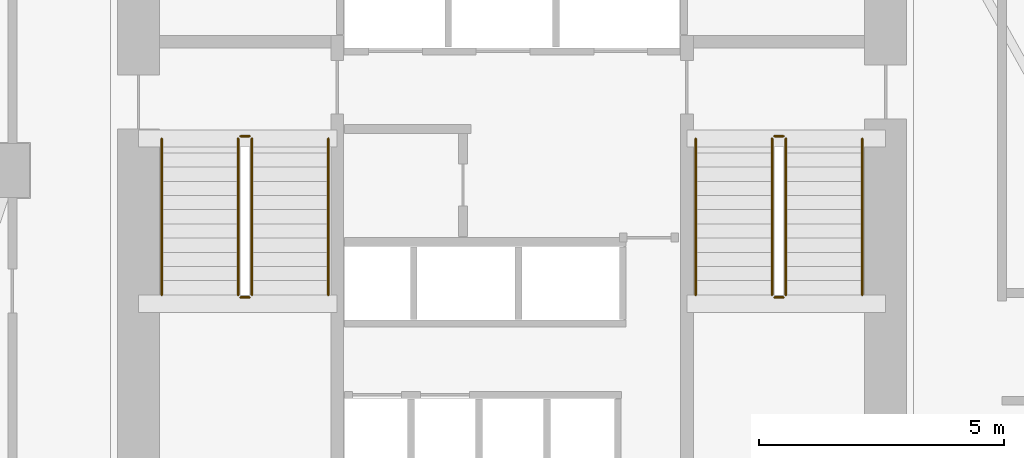
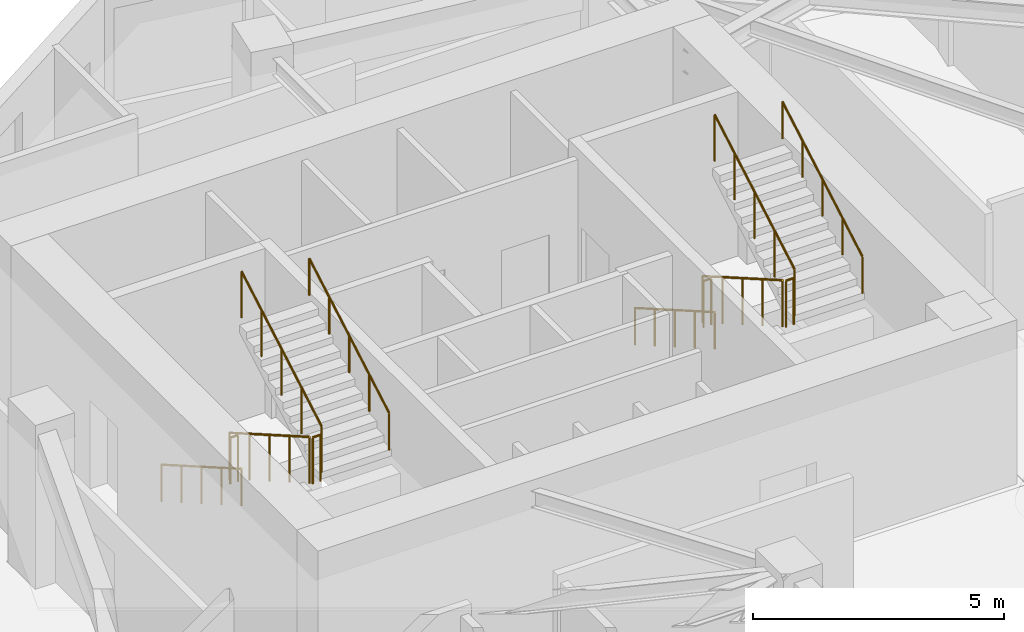
# One storey, part 10 of 11: 12 railings.
"""IFC4 building model written with IfcOpenShell, lengths in metres."""

from ifc_helpers import new_model, si_unit, direction, frame, origin, origin_2d, place, context, subcontext, project, spatial, circle, extrude, material, type_object, element, save


model = new_model("IFC4")

# Units and contexts
model_context = context("Model", 3, precision=1e-05, world=origin(), true_north=direction((0.0, 1.0)))
body_context = subcontext(model_context, "Body", "Model", "MODEL_VIEW")
ifc_project = project(units=[si_unit("LENGTHUNIT", "METRE"), si_unit("AREAUNIT", "SQUARE_METRE"), si_unit("VOLUMEUNIT", "CUBIC_METRE"), si_unit("PLANEANGLEUNIT", "RADIAN"), si_unit("MASSUNIT", "GRAM", prefix="KILO")], contexts=[model_context])

# Site, building, storey
site_placement = place(None, origin())
site = spatial("IfcSite", under=ifc_project, at=site_placement, CompositionType="ELEMENT")
building_placement = place(site_placement, origin())
building = spatial("IfcBuilding", under=site, at=building_placement, Name="Calvemar Wedge Station Tower", CompositionType="ELEMENT")
storey_placement = place(building_placement, frame((0.0, 0.0, 75.0)))
storey = spatial("IfcBuildingStorey", under=building, at=storey_placement, Name="L18", CompositionType="ELEMENT", Elevation=75.0)

# Railings
ifc_material_1 = material(Name="Stainless steel AISI 316L", Category="steel")
railing_type_1 = type_object("IfcRailingType", Name="RL-HANDRAIL-920", PredefinedType="HANDRAIL", material=ifc_material_1)
railing_1_placement = place(storey_placement, frame((16.64990234375, 41.14990234375, 0.166748046875)))
element("IfcRailing", 1, at=railing_1_placement, inside=storey, type_object=railing_type_1, Name="L18 ST-C1 stair handrail 1", PredefinedType="HANDRAIL", context=body_context, shape_type="SweptSolid", body=[
    extrude(circle(Radius=0.02392578125, at=origin_2d()), frame((0.0, 0.0, 0.89599609375), z_axis=(0.0, -0.867019545617, 0.498274128887), x_axis=(1.0, 0.0, 0.0)), (0.0, 0.0, 1.0), 3.67919921875),
    extrude(circle(Radius=0.02099609375, at=origin_2d()), origin(), (0.0, 0.0, 1.0), 0.871826171875),
    extrude(circle(Radius=0.02099609375, at=origin_2d()), frame((0.0, -0.79736328125, 0.458251953125)), (0.0, 0.0, 1.0), 0.871826171875),
    extrude(circle(Radius=0.02099609375, at=origin_2d()), frame((0.0, -1.594970703125, 0.91650390625)), (0.0, 0.0, 1.0), 0.871826171875),
    extrude(circle(Radius=0.02099609375, at=origin_2d()), frame((0.0, -2.392578125, 1.375)), (0.0, 0.0, 1.0), 0.871826171875),
    extrude(circle(Radius=0.02099609375, at=origin_2d()), frame((0.0, -3.18994140625, 1.833251953125)), (0.0, 0.0, 1.0), 0.871826171875),
])
railing_2_placement = place(storey_placement, frame((20.050048828125, 37.9599609375, 2.166748046875)))
element("IfcRailing", 2, at=railing_2_placement, inside=storey, type_object=railing_type_1, Name="L18 ST-C1 stair handrail 2", PredefinedType="HANDRAIL", context=body_context, shape_type="SweptSolid", body=[
    extrude(circle(Radius=0.02392578125, at=origin_2d()), frame((0.0, 0.0, 0.89599609375), z_axis=(0.0, 0.867019545617, 0.498274128887), x_axis=(-1.0, 0.0, 0.0)), (0.0, 0.0, 1.0), 3.67919921875),
    extrude(circle(Radius=0.02099609375, at=origin_2d()), origin(), (0.0, 0.0, 1.0), 0.871826171875),
    extrude(circle(Radius=0.02099609375, at=origin_2d()), frame((0.0, 0.79736328125, 0.458251953125)), (0.0, 0.0, 1.0), 0.871826171875),
    extrude(circle(Radius=0.02099609375, at=origin_2d()), frame((0.0, 1.594970703125, 0.91650390625)), (0.0, 0.0, 1.0), 0.871826171875),
    extrude(circle(Radius=0.02099609375, at=origin_2d()), frame((0.0, 2.392578125, 1.375)), (0.0, 0.0, 1.0), 0.871826171875),
    extrude(circle(Radius=0.02099609375, at=origin_2d()), frame((0.0, 3.18994140625, 1.833251953125)), (0.0, 0.0, 1.0), 0.871826171875),
])
railing_3_placement = place(storey_placement, frame((27.550048828125, 41.14990234375, 0.166748046875)))
element("IfcRailing", 3, at=railing_3_placement, inside=storey, type_object=railing_type_1, Name="L18 ST-C2 stair handrail 1", PredefinedType="HANDRAIL", context=body_context, shape_type="SweptSolid", body=[
    extrude(circle(Radius=0.02392578125, at=origin_2d()), frame((0.0, 0.0, 0.89599609375), z_axis=(0.0, -0.867019545617, 0.498274128887), x_axis=(1.0, 0.0, 0.0)), (0.0, 0.0, 1.0), 3.67919921875),
    extrude(circle(Radius=0.02099609375, at=origin_2d()), origin(), (0.0, 0.0, 1.0), 0.871826171875),
    extrude(circle(Radius=0.02099609375, at=origin_2d()), frame((0.0, -0.79736328125, 0.458251953125)), (0.0, 0.0, 1.0), 0.871826171875),
    extrude(circle(Radius=0.02099609375, at=origin_2d()), frame((0.0, -1.594970703125, 0.91650390625)), (0.0, 0.0, 1.0), 0.871826171875),
    extrude(circle(Radius=0.02099609375, at=origin_2d()), frame((0.0, -2.392578125, 1.375)), (0.0, 0.0, 1.0), 0.871826171875),
    extrude(circle(Radius=0.02099609375, at=origin_2d()), frame((0.0, -3.18994140625, 1.833251953125)), (0.0, 0.0, 1.0), 0.871826171875),
])
railing_4_placement = place(storey_placement, frame((30.949951171875, 37.9599609375, 2.166748046875)))
element("IfcRailing", 4, at=railing_4_placement, inside=storey, type_object=railing_type_1, Name="L18 ST-C2 stair handrail 2", PredefinedType="HANDRAIL", context=body_context, shape_type="SweptSolid", body=[
    extrude(circle(Radius=0.02392578125, at=origin_2d()), frame((0.0, 0.0, 0.89599609375), z_axis=(0.0, 0.867019545617, 0.498274128887), x_axis=(-1.0, 0.0, 0.0)), (0.0, 0.0, 1.0), 3.67919921875),
    extrude(circle(Radius=0.02099609375, at=origin_2d()), origin(), (0.0, 0.0, 1.0), 0.871826171875),
    extrude(circle(Radius=0.02099609375, at=origin_2d()), frame((0.0, 0.79736328125, 0.458251953125)), (0.0, 0.0, 1.0), 0.871826171875),
    extrude(circle(Radius=0.02099609375, at=origin_2d()), frame((0.0, 1.594970703125, 0.91650390625)), (0.0, 0.0, 1.0), 0.871826171875),
    extrude(circle(Radius=0.02099609375, at=origin_2d()), frame((0.0, 2.392578125, 1.375)), (0.0, 0.0, 1.0), 0.871826171875),
    extrude(circle(Radius=0.02099609375, at=origin_2d()), frame((0.0, 3.18994140625, 1.833251953125)), (0.0, 0.0, 1.0), 0.871826171875),
])
ifc_material_2 = material(Name="Painted steel guardrail ASTM A500 Grade C", Category="steel")
railing_type_2 = type_object("IfcRailingType", Name="RL-STAIR-GUARD-1150", PredefinedType="GUARDRAIL", material=ifc_material_2)
railing_5_placement = place(storey_placement, frame((18.2099609375, 41.14990234375, 0.166748046875)))
element("IfcRailing", 5, at=railing_5_placement, inside=storey, type_object=railing_type_2, Name="L18 ST-C1 stair guard 1", PredefinedType="GUARDRAIL", context=body_context, shape_type="SweptSolid", body=[
    extrude(circle(Radius=0.02392578125, at=origin_2d()), frame((0.0, 0.0, 1.1259765625), z_axis=(0.0, -0.867019545617, 0.498274128887), x_axis=(1.0, 0.0, 0.0)), (0.0, 0.0, 1.0), 3.67919921875),
    extrude(circle(Radius=0.02099609375, at=origin_2d()), origin(), (0.0, 0.0, 1.0), 1.101806640625),
    extrude(circle(Radius=0.02099609375, at=origin_2d()), frame((0.0, -0.79736328125, 0.458251953125)), (0.0, 0.0, 1.0), 1.101806640625),
    extrude(circle(Radius=0.02099609375, at=origin_2d()), frame((0.0, -1.594970703125, 0.91650390625)), (0.0, 0.0, 1.0), 1.101806640625),
    extrude(circle(Radius=0.02099609375, at=origin_2d()), frame((0.0, -2.392578125, 1.375)), (0.0, 0.0, 1.0), 1.101806640625),
    extrude(circle(Radius=0.02099609375, at=origin_2d()), frame((0.0, -3.18994140625, 1.833251953125)), (0.0, 0.0, 1.0), 1.101806640625),
])
railing_6_placement = place(storey_placement, frame((18.260009765625, 37.909912109375, 2.0)))
element("IfcRailing", 6, at=railing_6_placement, inside=storey, type_object=railing_type_2, Name="L18 ST-C1 stair guard 2", PredefinedType="GUARDRAIL", context=body_context, shape_type="SweptSolid", body=[
    extrude(circle(Radius=0.02392578125, at=origin_2d()), frame((0.0, 0.0, 1.1259765625), z_axis=(1.0, 0.0, 0.0), x_axis=(0.0, 1.0, 0.0)), (0.0, 0.0, 1.0), 0.179931640625),
    extrude(circle(Radius=0.02099609375, at=origin_2d()), origin(), (0.0, 0.0, 1.0), 1.101806640625),
    extrude(circle(Radius=0.02099609375, at=origin_2d()), frame((0.179931640625, 0.0, 0.0)), (0.0, 0.0, 1.0), 1.101806640625),
])
railing_7_placement = place(storey_placement, frame((18.489990234375, 37.9599609375, 2.166748046875)))
element("IfcRailing", 7, at=railing_7_placement, inside=storey, type_object=railing_type_2, Name="L18 ST-C1 stair guard 3", PredefinedType="GUARDRAIL", context=body_context, shape_type="SweptSolid", body=[
    extrude(circle(Radius=0.02392578125, at=origin_2d()), frame((0.0, 0.0, 1.1259765625), z_axis=(0.0, 0.867019545617, 0.498274128887), x_axis=(-1.0, 0.0, 0.0)), (0.0, 0.0, 1.0), 3.67919921875),
    extrude(circle(Radius=0.02099609375, at=origin_2d()), origin(), (0.0, 0.0, 1.0), 1.101806640625),
    extrude(circle(Radius=0.02099609375, at=origin_2d()), frame((0.0, 0.79736328125, 0.458251953125)), (0.0, 0.0, 1.0), 1.101806640625),
    extrude(circle(Radius=0.02099609375, at=origin_2d()), frame((0.0, 1.594970703125, 0.91650390625)), (0.0, 0.0, 1.0), 1.101806640625),
    extrude(circle(Radius=0.02099609375, at=origin_2d()), frame((0.0, 2.392578125, 1.375)), (0.0, 0.0, 1.0), 1.101806640625),
    extrude(circle(Radius=0.02099609375, at=origin_2d()), frame((0.0, 3.18994140625, 1.833251953125)), (0.0, 0.0, 1.0), 1.101806640625),
])
railing_8_placement = place(storey_placement, frame((18.260009765625, 41.199951171875, 0.0)))
element("IfcRailing", 8, at=railing_8_placement, inside=storey, type_object=railing_type_2, Name="L18 ST-C1 stair guard 4", PredefinedType="GUARDRAIL", context=body_context, shape_type="SweptSolid", body=[
    extrude(circle(Radius=0.02392578125, at=origin_2d()), frame((0.0, 0.0, 1.1259765625), z_axis=(1.0, 0.0, 0.0), x_axis=(0.0, 1.0, 0.0)), (0.0, 0.0, 1.0), 0.179931640625),
    extrude(circle(Radius=0.02099609375, at=origin_2d()), origin(), (0.0, 0.0, 1.0), 1.101806640625),
    extrude(circle(Radius=0.02099609375, at=origin_2d()), frame((0.179931640625, 0.0, 0.0)), (0.0, 0.0, 1.0), 1.101806640625),
])
railing_9_placement = place(storey_placement, frame((29.110107421875, 41.14990234375, 0.166748046875)))
element("IfcRailing", 9, at=railing_9_placement, inside=storey, type_object=railing_type_2, Name="L18 ST-C2 stair guard 1", PredefinedType="GUARDRAIL", context=body_context, shape_type="SweptSolid", body=[
    extrude(circle(Radius=0.02392578125, at=origin_2d()), frame((0.0, 0.0, 1.1259765625), z_axis=(0.0, -0.867019545617, 0.498274128887), x_axis=(1.0, 0.0, 0.0)), (0.0, 0.0, 1.0), 3.67919921875),
    extrude(circle(Radius=0.02099609375, at=origin_2d()), origin(), (0.0, 0.0, 1.0), 1.101806640625),
    extrude(circle(Radius=0.02099609375, at=origin_2d()), frame((0.0, -0.79736328125, 0.458251953125)), (0.0, 0.0, 1.0), 1.101806640625),
    extrude(circle(Radius=0.02099609375, at=origin_2d()), frame((0.0, -1.594970703125, 0.91650390625)), (0.0, 0.0, 1.0), 1.101806640625),
    extrude(circle(Radius=0.02099609375, at=origin_2d()), frame((0.0, -2.392578125, 1.375)), (0.0, 0.0, 1.0), 1.101806640625),
    extrude(circle(Radius=0.02099609375, at=origin_2d()), frame((0.0, -3.18994140625, 1.833251953125)), (0.0, 0.0, 1.0), 1.101806640625),
])
railing_10_placement = place(storey_placement, frame((29.159912109375, 37.909912109375, 2.0)))
element("IfcRailing", 10, at=railing_10_placement, inside=storey, type_object=railing_type_2, Name="L18 ST-C2 stair guard 2", PredefinedType="GUARDRAIL", context=body_context, shape_type="SweptSolid", body=[
    extrude(circle(Radius=0.02392578125, at=origin_2d()), frame((0.0, 0.0, 1.1259765625), z_axis=(1.0, 0.0, 0.0), x_axis=(0.0, 1.0, 0.0)), (0.0, 0.0, 1.0), 0.18017578125),
    extrude(circle(Radius=0.02099609375, at=origin_2d()), origin(), (0.0, 0.0, 1.0), 1.101806640625),
    extrude(circle(Radius=0.02099609375, at=origin_2d()), frame((0.18017578125, 0.0, 0.0)), (0.0, 0.0, 1.0), 1.101806640625),
])
railing_11_placement = place(storey_placement, frame((29.389892578125, 37.9599609375, 2.166748046875)))
element("IfcRailing", 11, at=railing_11_placement, inside=storey, type_object=railing_type_2, Name="L18 ST-C2 stair guard 3", PredefinedType="GUARDRAIL", context=body_context, shape_type="SweptSolid", body=[
    extrude(circle(Radius=0.02392578125, at=origin_2d()), frame((0.0, 0.0, 1.1259765625), z_axis=(0.0, 0.867019545617, 0.498274128887), x_axis=(-1.0, 0.0, 0.0)), (0.0, 0.0, 1.0), 3.67919921875),
    extrude(circle(Radius=0.02099609375, at=origin_2d()), origin(), (0.0, 0.0, 1.0), 1.101806640625),
    extrude(circle(Radius=0.02099609375, at=origin_2d()), frame((0.0, 0.79736328125, 0.458251953125)), (0.0, 0.0, 1.0), 1.101806640625),
    extrude(circle(Radius=0.02099609375, at=origin_2d()), frame((0.0, 1.594970703125, 0.91650390625)), (0.0, 0.0, 1.0), 1.101806640625),
    extrude(circle(Radius=0.02099609375, at=origin_2d()), frame((0.0, 2.392578125, 1.375)), (0.0, 0.0, 1.0), 1.101806640625),
    extrude(circle(Radius=0.02099609375, at=origin_2d()), frame((0.0, 3.18994140625, 1.833251953125)), (0.0, 0.0, 1.0), 1.101806640625),
])
railing_12_placement = place(storey_placement, frame((29.159912109375, 41.199951171875, 0.0)))
element("IfcRailing", 12, at=railing_12_placement, inside=storey, type_object=railing_type_2, Name="L18 ST-C2 stair guard 4", PredefinedType="GUARDRAIL", context=body_context, shape_type="SweptSolid", body=[
    extrude(circle(Radius=0.02392578125, at=origin_2d()), frame((0.0, 0.0, 1.1259765625), z_axis=(1.0, 0.0, 0.0), x_axis=(0.0, 1.0, 0.0)), (0.0, 0.0, 1.0), 0.18017578125),
    extrude(circle(Radius=0.02099609375, at=origin_2d()), origin(), (0.0, 0.0, 1.0), 1.101806640625),
    extrude(circle(Radius=0.02099609375, at=origin_2d()), frame((0.18017578125, 0.0, 0.0)), (0.0, 0.0, 1.0), 1.101806640625),
])

save(model, "model.ifc")
